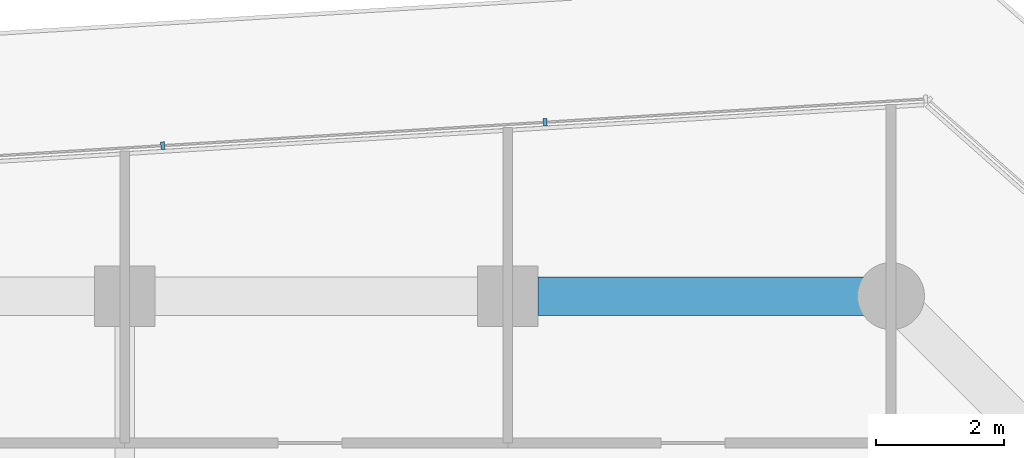
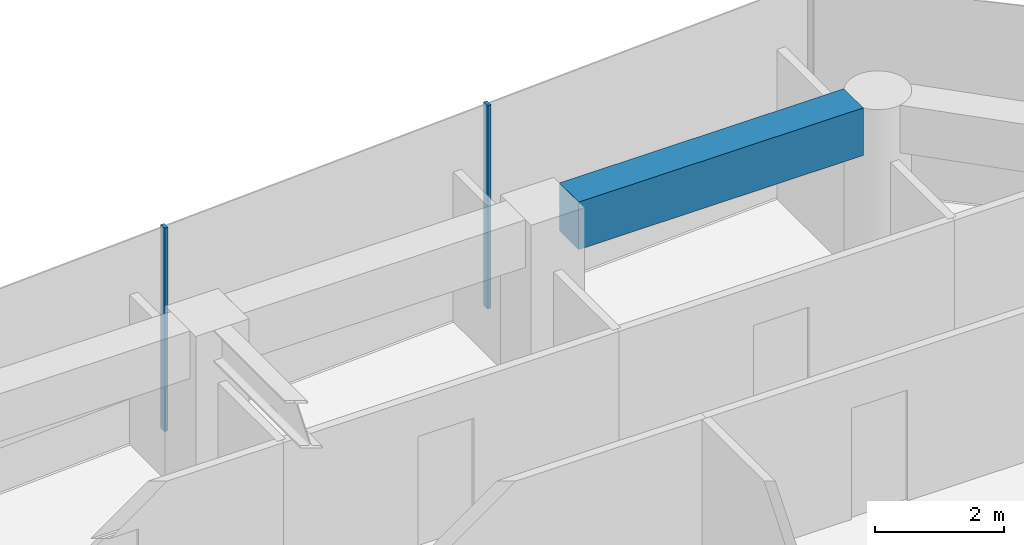
# One storey, part 11 of 29: 2 members, 1 beam, 1 element without a shape of its own.
"""IFC4 building model written with IfcOpenShell, lengths in metres."""

from ifc_helpers import new_model, si_unit, direction, frame, origin, origin_2d, place, context, subcontext, project, spatial, rectangle, extrude, material, layer, layer_set, material_profile, profile_set, type_object, element, aggregate, save


model = new_model("IFC4")

# Units and contexts
model_context = context("Model", 3, precision=1e-05, world=origin(), true_north=direction((0.0, 1.0)))
body_context = subcontext(model_context, "Body", "Model", "MODEL_VIEW")
ifc_project = project(units=[si_unit("LENGTHUNIT", "METRE"), si_unit("AREAUNIT", "SQUARE_METRE"), si_unit("VOLUMEUNIT", "CUBIC_METRE"), si_unit("PLANEANGLEUNIT", "RADIAN"), si_unit("MASSUNIT", "GRAM", prefix="KILO")], contexts=[model_context])

# Site, building, storey
site_placement = place(None, origin())
site = spatial("IfcSite", under=ifc_project, at=site_placement, CompositionType="ELEMENT")
building_placement = place(site_placement, origin())
building = spatial("IfcBuilding", under=site, at=building_placement, Name="Welwitschia Terrace Campus", CompositionType="ELEMENT")
storey_placement = place(building_placement, frame((0.0, 0.0, 66.800048828125)))
storey = spatial("IfcBuildingStorey", under=building, at=storey_placement, Name="L15", CompositionType="ELEMENT", Elevation=66.800048828125)

# Curtain wall, members
ifc_material_1 = material(Name="Bronze anodised aluminium", Category="aluminium")
ifc_layer = layer(ifc_material_1, 0.1201171875)
ifc_layer_set = layer_set([ifc_layer], Name="Bronze anodised aluminium")
curtain_wall_type = type_object("IfcCurtainWallType", Name="Curtain wall CW2 tower 6000", PredefinedType="NOTDEFINED", material=ifc_layer_set)
curtain_wall_placement = place(storey_placement, origin())
curtain_wall = element("IfcCurtainWall", 1, at=curtain_wall_placement, inside=storey, type_object=curtain_wall_type, Name="CW L15.7.0", PredefinedType="NOTDEFINED")
ifc_material_2 = material(Name="Bronze anodised aluminium", Category="aluminium")
ifc_material_profile_1 = material_profile(ifc_material_2, rectangle(XDim=0.1201171875, YDim=0.06005859375, at=origin_2d()))
ifc_profile_set_1 = profile_set([ifc_material_profile_1], Name="Bronze anodised aluminium")
member_type = type_object("IfcMemberType", Name="Mullion 60x120", PredefinedType="MULLION", material=ifc_profile_set_1)
member_1_placement = place(storey_placement, frame((54.58447265625, 22.72265625, 0.0), z_axis=(0.0, 0.0, 1.0), x_axis=(0.061048539535, -0.998134798422, 0.0)))
member_1 = element("IfcMember", 2, at=member_1_placement, type_object=member_type, Name="Mullion L15.7.0.1", PredefinedType="MULLION", context=body_context, shape_type="SweptSolid", body=[
    extrude(rectangle(XDim=0.1201171875, YDim=0.06005859375, at=origin_2d()), origin(), (0.0, 0.0, 1.0), 3.849853515625),
])
member_2_placement = place(storey_placement, frame((48.595703125, 22.3564453125, 0.0), z_axis=(0.0, 0.0, 1.0), x_axis=(0.061048539535, -0.998134798422, 0.0)))
member_2 = element("IfcMember", 3, at=member_2_placement, type_object=member_type, Name="Mullion L15.7.0.2", PredefinedType="MULLION", context=body_context, shape_type="SweptSolid", body=[
    extrude(rectangle(XDim=0.1201171875, YDim=0.06005859375, at=origin_2d()), origin(), (0.0, 0.0, 1.0), 3.849853515625),
])
aggregate(curtain_wall, [member_1, member_2])

# Beam
ifc_material_3 = material(Name="Concrete C60/75", Category="concrete")
ifc_material_profile_2 = material_profile(ifc_material_3, rectangle(XDim=0.60009765625, YDim=0.89990234375, at=origin_2d()))
ifc_profile_set_2 = profile_set([ifc_material_profile_2], Name="Concrete C60/75")
beam_type = type_object("IfcBeamType", Name="Ring spandrel 600x900", PredefinedType="SPANDREL", material=ifc_profile_set_2)
beam_placement = place(storey_placement, frame((59.568603515625, 20.0, 3.39990234375), z_axis=(-1.0, 0.0, 0.0), x_axis=(0.0, -1.0, 0.0)))
element("IfcBeam", 4, at=beam_placement, inside=storey, type_object=beam_type, Name="Spandrel SP2", PredefinedType="SPANDREL", context=body_context, shape_type="SweptSolid", body=[
    extrude(rectangle(XDim=0.60009765625, YDim=0.89990234375, at=origin_2d()), origin(), (0.0, 0.0, 1.0), 5.093017578125),
])

save(model, "model.ifc")
